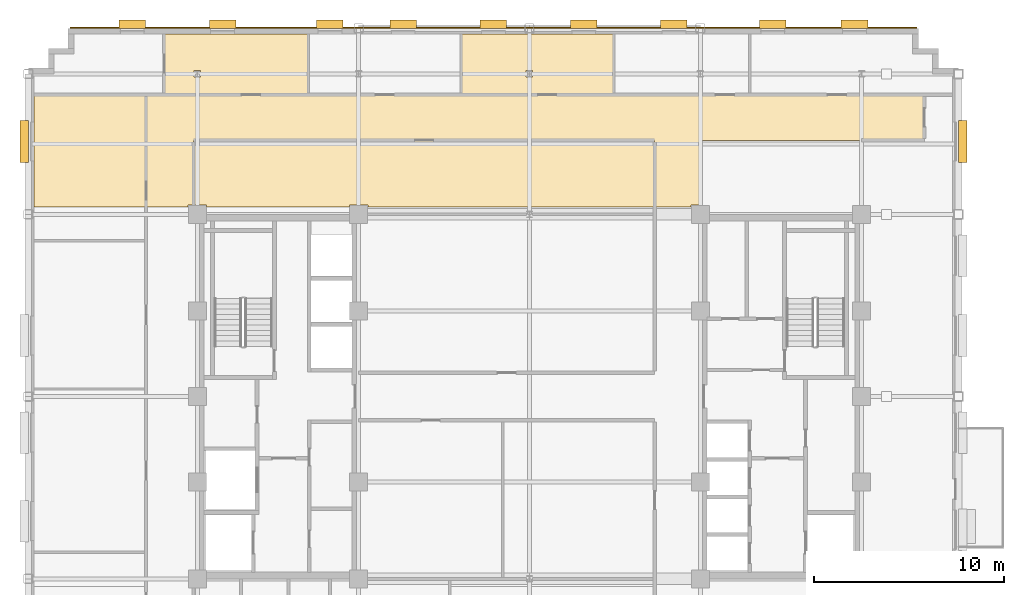
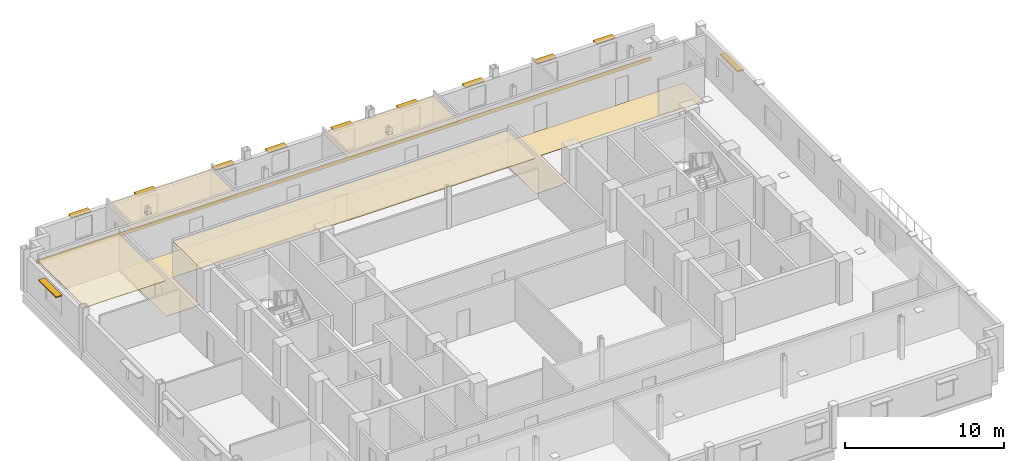
# One storey, part 15 of 15: 11 shading devices, 6 coverings.
"""IFC4 building model written with IfcOpenShell, lengths in metres."""

from ifc_helpers import new_model, si_unit, direction, frame, origin, origin_2d, place, context, subcontext, project, spatial, polyline, rectangle, outline, extrude, source, transform, mapped, material, layer, layer_set, type_object, type_shapes, element, save


model = new_model("IFC4")

# Units and contexts
model_context = context("Model", 3, precision=1e-05, world=origin(), true_north=direction((0.0, 1.0)))
body_context = subcontext(model_context, "Body", "Model", "MODEL_VIEW")
ifc_project = project(units=[si_unit("LENGTHUNIT", "METRE"), si_unit("AREAUNIT", "SQUARE_METRE"), si_unit("VOLUMEUNIT", "CUBIC_METRE"), si_unit("PLANEANGLEUNIT", "RADIAN"), si_unit("MASSUNIT", "GRAM", prefix="KILO")], contexts=[model_context])

# Site, building, storey
site_placement = place(None, origin())
site = spatial("IfcSite", under=ifc_project, at=site_placement, CompositionType="ELEMENT")
building_placement = place(site_placement, origin())
building = spatial("IfcBuilding", under=site, at=building_placement, Name="Nuvemarco Arch Tower", CompositionType="ELEMENT")
storey_placement = place(building_placement, frame((0.0, 0.0, 205.5)))
storey = spatial("IfcBuildingStorey", under=building, at=storey_placement, Name="L54", CompositionType="ELEMENT", Elevation=205.5)

# Coverings
ifc_material_1 = material(Name="Mineral acoustic ceiling tile")
ifc_layer_1 = layer(ifc_material_1, 0.0400390625, Name="COV-ACOUSTIC-CLG")
ifc_layer_set_1 = layer_set([ifc_layer_1], Name="Mineral acoustic ceiling tile")
covering_type_1 = type_object("IfcCoveringType", Name="COV-ACOUSTIC-CLG", PredefinedType="CEILING", material=ifc_layer_set_1)
covering_1_placement = place(storey_placement, frame((0.0, 0.0, 2.72998046875)))
element("IfcCovering", 1, at=covering_1_placement, inside=storey, type_object=covering_type_1, Name="L54 suspended acoustic ceiling 4", PredefinedType="CEILING", context=body_context, shape_type="SweptSolid", body=[
    extrude(outline(polyline([(6.60009765625, 13.5), (6.60009765625, 10.0), (-8.510009765625, 10.0), (-8.510009765625, 10.090087890625), (-9.489990234375, 10.090087890625), (-9.489990234375, 10.0), (-17.010009765625, 10.0), (-17.010009765625, 10.090087890625), (-17.699951171875, 10.090087890625), (-17.699951171875, 13.5), (6.60009765625, 13.5)])), origin(), (0.0, 0.0, 1.0), 0.0400390625),
])
covering_2_placement = place(storey_placement, frame((0.0, 0.0, 2.72998046875)))
element("IfcCovering", 2, at=covering_2_placement, inside=storey, type_object=covering_type_1, Name="L54 suspended acoustic ceiling 6", PredefinedType="CEILING", context=body_context, shape_type="SweptSolid", body=[
    extrude(outline(polyline([(-20.199951171875, 10.0), (-26.090087890625, 10.0), (-26.090087890625, 15.89990234375), (-20.199951171875, 15.89990234375), (-20.199951171875, 13.5), (-20.199951171875, 10.0)])), origin(), (0.0, 0.0, 1.0), 0.0400390625),
])
covering_3_placement = place(storey_placement, frame((0.0, 0.0, 2.72998046875)))
element("IfcCovering", 3, at=covering_3_placement, inside=storey, type_object=covering_type_1, Name="L54 suspended acoustic ceiling 8", PredefinedType="CEILING", context=body_context, shape_type="SweptSolid", body=[
    extrude(outline(polyline([(-3.60009765625, 15.89990234375), (-3.60009765625, 19.090087890625), (4.43994140625, 19.090087890625), (4.43994140625, 15.89990234375), (-3.60009765625, 15.89990234375)]), holes=[polyline([(0.169921875, 16.830078125), (0.169921875, 17.169921875), (-0.169921875, 17.169921875), (-0.169921875, 16.830078125), (0.169921875, 16.830078125)])]), origin(), (0.0, 0.0, 1.0), 0.0400390625),
])
covering_4_placement = place(storey_placement, frame((0.0, 0.0, 2.72998046875)))
element("IfcCovering", 4, at=covering_4_placement, inside=storey, type_object=covering_type_1, Name="L54 suspended acoustic ceiling 9", PredefinedType="CEILING", context=body_context, shape_type="SweptSolid", body=[
    extrude(outline(polyline([(-11.64990234375, 15.89990234375), (-17.699951171875, 15.89990234375), (-19.25, 15.89990234375), (-19.25, 19.090087890625), (-11.64990234375, 19.090087890625), (-11.64990234375, 15.89990234375)]), holes=[polyline([(-17.330078125, 16.830078125), (-17.330078125, 17.169921875), (-17.669921875, 17.169921875), (-17.669921875, 16.830078125), (-17.330078125, 16.830078125)])]), origin(), (0.0, 0.0, 1.0), 0.0400390625),
])
ifc_material_2 = material(Name="Polished granite terrazzostone flooring", Category="masonry")
ifc_layer_2 = layer(ifc_material_2, 0.02001953125, Name="COV-LOBBY-FLR")
ifc_layer_set_2 = layer_set([ifc_layer_2], Name="Polished granite terrazzostone flooring")
covering_type_2 = type_object("IfcCoveringType", Name="COV-LOBBY-FLR", PredefinedType="FLOORING", material=ifc_layer_set_2)
covering_5_placement = place(storey_placement, origin())
element("IfcCovering", 5, at=covering_5_placement, inside=storey, type_object=covering_type_2, Name="L54 polished terrazzo lobby flooring", PredefinedType="FLOORING", context=body_context, shape_type="SweptSolid", body=[
    extrude(outline(polyline([(-20.199951171875, 13.5), (-20.199951171875, 15.89990234375), (-17.699951171875, 15.89990234375), (6.60009765625, 15.89990234375), (9.0, 15.89990234375), (20.800048828125, 15.89990234375), (20.800048828125, 13.5), (9.0, 13.5), (9.0, 10.090087890625), (8.510009765625, 10.090087890625), (8.510009765625, 10.0), (6.60009765625, 10.0), (6.60009765625, 13.5), (-17.699951171875, 13.5), (-17.699951171875, 10.090087890625), (-17.989990234375, 10.090087890625), (-17.989990234375, 10.0), (-20.199951171875, 10.0), (-20.199951171875, 13.5)])), origin(), (0.0, 0.0, 1.0), 0.02001953125),
])

# Shading devices
ifc_material_3 = material(Name="Anodised aluminium 6063-T6", Category="aluminium")
shading_device_type_1 = type_object("IfcShadingDeviceType", Name="SHD-BRISE-SOLEIL", PredefinedType="USERDEFINED", material=ifc_material_3)
shared_shape_1 = source(origin(), body_context, "Body", "SweptSolid", [
    extrude(rectangle(XDim=2.199951171875, YDim=0.449951171875, at=origin_2d()), origin(), (0.0, 0.0, 1.0), 0.080078125),
])
type_shapes(shading_device_type_1, [shared_shape_1])
for number, where, z_axis, x_axis, name in (
    (6, (22.81494140625, 13.437744140625, 2.324951171875), (0.0, 0.0, 1.0), (0.0, 1.0, 0.0), "L54 horizontal brise-soleil sunshade"),
    (7, (-26.614990234375, 13.437744140625, 2.324951171875), (0.0, 0.0, 1.0), (0.0, 1.0, 0.0), "L54 horizontal brise-soleil sunshade"),
):
    element("IfcShadingDevice", number, at=place(storey_placement, frame(where, z_axis=z_axis, x_axis=x_axis)), inside=storey, type_object=shading_device_type_1, Name=name, ObjectType="SUNSHADE", PredefinedType="USERDEFINED", context=body_context, shape_type="MappedRepresentation", body=[
        mapped(shared_shape_1, transform((0.0, 0.0, 0.0), scale=1.0)),
    ])
shading_device_type_2 = type_object("IfcShadingDeviceType", Name="SHD-BRISE-NARROW", PredefinedType="USERDEFINED", material=ifc_material_3)
shared_shape_2 = source(origin(), body_context, "Body", "SweptSolid", [
    extrude(rectangle(XDim=1.39990234375, YDim=0.449951171875, at=origin_2d()), origin(), (0.0, 0.0, 1.0), 0.080078125),
])
type_shapes(shading_device_type_2, [shared_shape_2])
for number, where, z_axis, x_axis, name in (
    (8, (-20.922119140625, 19.614990234375, 2.324951171875), (0.0, 0.0, 1.0), (1.0, 0.0, 0.0), "L54 horizontal brise-soleil sunshade"),
    (9, (-16.166748046875, 19.614990234375, 2.324951171875), (0.0, 0.0, 1.0), (1.0, 0.0, 0.0), "L54 horizontal brise-soleil sunshade"),
    (10, (-10.510986328125, 19.614990234375, 2.324951171875), (0.0, 0.0, 1.0), (1.0, 0.0, 0.0), "L54 horizontal brise-soleil sunshade"),
    (11, (-6.655517578125, 19.614990234375, 2.324951171875), (0.0, 0.0, 1.0), (1.0, 0.0, 0.0), "L54 horizontal brise-soleil sunshade"),
    (12, (-1.89990234375, 19.614990234375, 2.324951171875), (0.0, 0.0, 1.0), (1.0, 0.0, 0.0), "L54 horizontal brise-soleil sunshade"),
    (13, (2.855712890625, 19.614990234375, 2.324951171875), (0.0, 0.0, 1.0), (1.0, 0.0, 0.0), "L54 horizontal brise-soleil sunshade"),
    (14, (7.611083984375, 19.614990234375, 2.324951171875), (0.0, 0.0, 1.0), (1.0, 0.0, 0.0), "L54 horizontal brise-soleil sunshade"),
    (15, (12.816650390625, 19.614990234375, 2.324951171875), (0.0, 0.0, 1.0), (1.0, 0.0, 0.0), "L54 horizontal brise-soleil sunshade"),
    (16, (17.122314453125, 19.614990234375, 2.324951171875), (0.0, 0.0, 1.0), (1.0, 0.0, 0.0), "L54 horizontal brise-soleil sunshade"),
):
    element("IfcShadingDevice", number, at=place(storey_placement, frame(where, z_axis=z_axis, x_axis=x_axis)), inside=storey, type_object=shading_device_type_2, Name=name, ObjectType="SUNSHADE", PredefinedType="USERDEFINED", context=body_context, shape_type="MappedRepresentation", body=[
        mapped(shared_shape_2, transform((0.0, 0.0, 0.0), scale=1.0)),
    ])

# Covering
ifc_material_4 = material(Name="Precast concrete C45/55", Category="concrete")
ifc_layer_3 = layer(ifc_material_4, 0.06005859375, Name="COV-SPANDREL-CLAD")
ifc_layer_set_3 = layer_set([ifc_layer_3], Name="Precast concrete C45/55")
covering_type_3 = type_object("IfcCoveringType", Name="COV-SPANDREL-CLAD", PredefinedType="CLADDING", material=ifc_layer_set_3)
shared_shape_3 = source(origin(), body_context, "Body", "SweptSolid", [
    extrude(rectangle(XDim=44.60009765625, YDim=0.06005859375, at=origin_2d()), origin(), (0.0, 0.0, 1.0), 0.280029296875),
])
type_shapes(covering_type_3, [shared_shape_3])
covering_6_placement = place(storey_placement, frame((-1.89990234375, 19.428955078125, -0.27978515625), z_axis=(0.0, 0.0, 1.0), x_axis=(1.0, 0.0, 0.0)))
element("IfcCovering", 17, at=covering_6_placement, inside=storey, type_object=covering_type_3, Name="L54 precast spandrel edge cladding north", PredefinedType="CLADDING", context=body_context, shape_type="MappedRepresentation", body=[
    mapped(shared_shape_3, transform((0.0, 0.0, 0.0), scale=1.0)),
])

save(model, "model.ifc")
